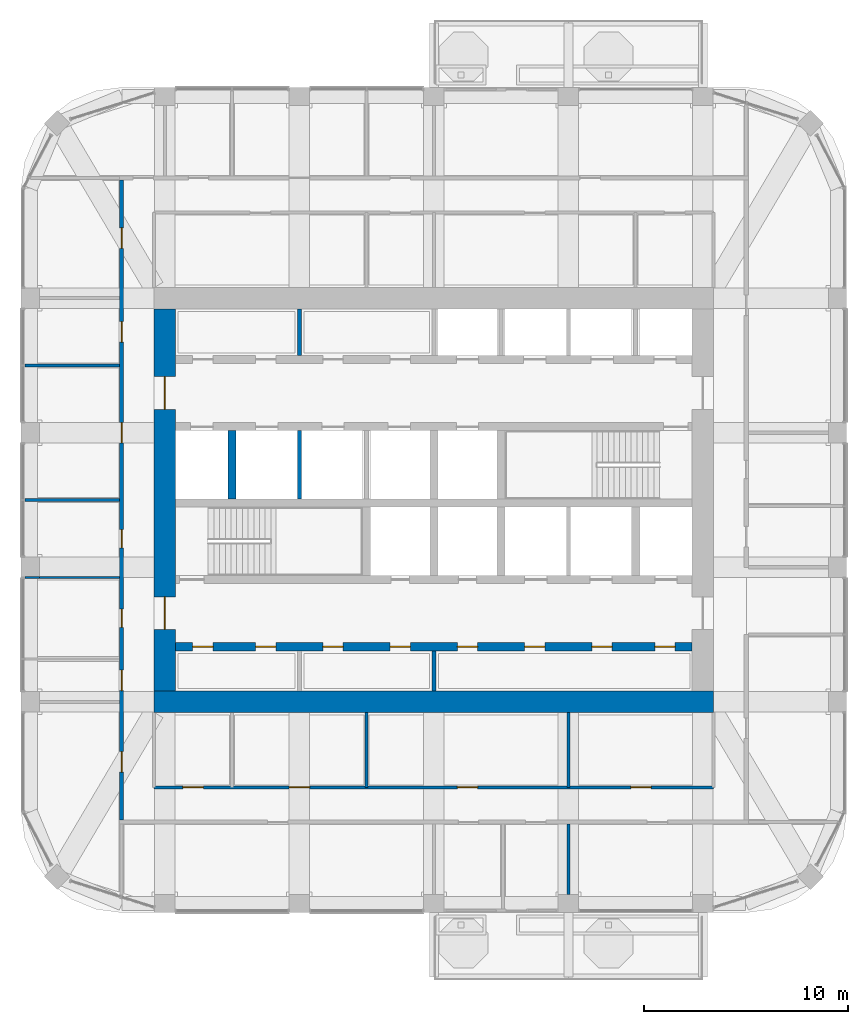
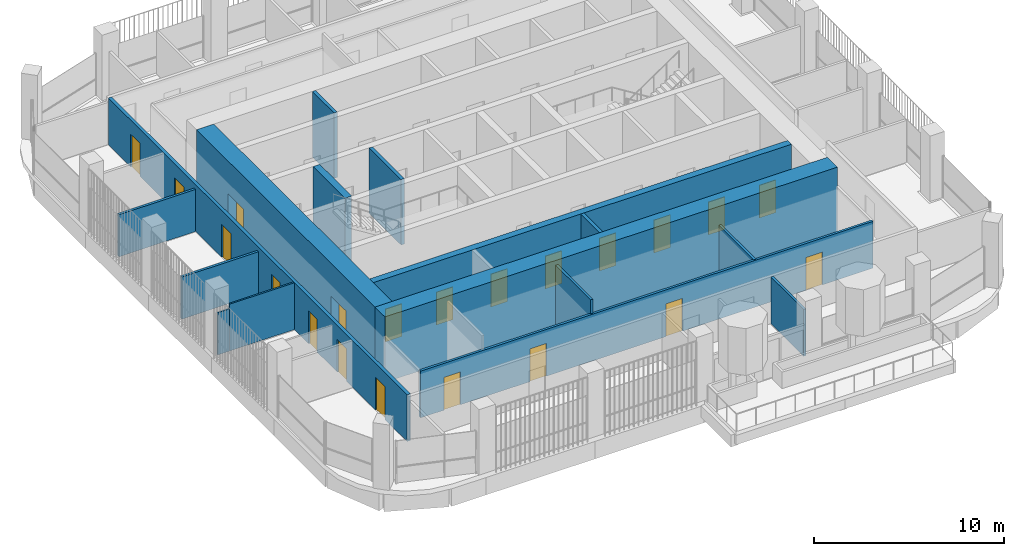
# One storey, part 14 of 21: 21 doors, 16 walls, 21 openings.
"""IFC4 building model written with IfcOpenShell, lengths in metres."""

from ifc_helpers import new_model, si_unit, direction, frame, frame_2d, origin, place, context, subcontext, project, spatial, rectangle, extrude, material, layer, layer_set, type_object, element, fill, save


model = new_model("IFC4")

# Units and contexts
model_context = context("Model", 3, precision=1e-05, world=origin(), true_north=direction((0.0, 1.0)))
body_context = subcontext(model_context, "Body", "Model", "MODEL_VIEW")
ifc_project = project(units=[si_unit("LENGTHUNIT", "METRE"), si_unit("AREAUNIT", "SQUARE_METRE"), si_unit("VOLUMEUNIT", "CUBIC_METRE"), si_unit("PLANEANGLEUNIT", "RADIAN"), si_unit("MASSUNIT", "GRAM", prefix="KILO")], contexts=[model_context])

# Site, building, storey
site_placement = place(None, origin())
site = spatial("IfcSite", under=ifc_project, at=site_placement, CompositionType="ELEMENT")
building_placement = place(site_placement, origin())
building = spatial("IfcBuilding", under=site, at=building_placement, Name="Cobogo Forest Laboratory Tower", CompositionType="ELEMENT")
storey_placement = place(building_placement, frame((0.0, 0.0, 267.0)))
storey = spatial("IfcBuildingStorey", under=building, at=storey_placement, Name="L61", CompositionType="ELEMENT", Elevation=267.0)

# Wall, openings, doors
ifc_material_1 = material(Name="Concrete HA-50 (C50/60)", Category="concrete")
ifc_layer_1 = layer(ifc_material_1, 0.39990234375)
ifc_layer_set_1 = layer_set([ifc_layer_1], Name="CI400 core inner wall 400")
wall_type_1 = type_object("IfcWallType", Name="CI400 core inner wall 400", PredefinedType="SHEAR", material=ifc_layer_set_1)
wall_1_placement = place(storey_placement, frame((13.72509765625, 15.89990234375, 0.0), z_axis=(0.0, 0.0, 1.0), x_axis=(1.0, 0.0, 0.0)))
wall_1 = element("IfcWall", 1, at=wall_1_placement, inside=storey, type_object=wall_type_1, Name="Core wall CI-15.9 L61", PredefinedType="SHEAR", context=body_context, shape_type="SweptSolid", body=[
    extrude(rectangle(XDim=25.349853515625, YDim=0.39990234375, at=frame_2d((12.6748046875, 0.0))), origin(), (0.0, 0.0, 1.0), 4.199951171875),
])
opening_1_placement = place(wall_1_placement, frame((0.83740234375, 0.0, 0.0)))
opening_1 = element("IfcOpeningElement", 2, at=opening_1_placement, cuts=wall_1, Name="Opening L61-D13", PredefinedType="OPENING", context=body_context, shape_type="SweptSolid", body=[
    extrude(rectangle(XDim=1.0, YDim=2.10009765625, at=frame_2d((0.5, 1.050048828125))), frame((0.0, 0.2099609375, 0.0), z_axis=(0.0, -1.0, 0.0), x_axis=(1.0, 0.0, 0.0)), (0.0, 0.0, 1.0), 0.419921875),
])
opening_2_placement = place(wall_1_placement, frame((3.925048828125, 0.0, 0.0)))
opening_2 = element("IfcOpeningElement", 3, at=opening_2_placement, cuts=wall_1, Name="Opening L61-D14", PredefinedType="OPENING", context=body_context, shape_type="SweptSolid", body=[
    extrude(rectangle(XDim=1.0, YDim=2.10009765625, at=frame_2d((0.5, 1.050048828125))), frame((0.0, 0.2099609375, 0.0), z_axis=(0.0, -1.0, 0.0), x_axis=(1.0, 0.0, 0.0)), (0.0, 0.0, 1.0), 0.419921875),
])
opening_3_placement = place(wall_1_placement, frame((7.22509765625, 0.0, 0.0)))
opening_3 = element("IfcOpeningElement", 4, at=opening_3_placement, cuts=wall_1, Name="Opening L61-D15", PredefinedType="OPENING", context=body_context, shape_type="SweptSolid", body=[
    extrude(rectangle(XDim=1.0, YDim=2.10009765625, at=frame_2d((0.5, 1.050048828125))), frame((0.0, 0.2099609375, 0.0), z_axis=(0.0, -1.0, 0.0), x_axis=(1.0, 0.0, 0.0)), (0.0, 0.0, 1.0), 0.419921875),
])
opening_4_placement = place(wall_1_placement, frame((10.52490234375, 0.0, 0.0)))
opening_4 = element("IfcOpeningElement", 5, at=opening_4_placement, cuts=wall_1, Name="Opening L61-D16", PredefinedType="OPENING", context=body_context, shape_type="SweptSolid", body=[
    extrude(rectangle(XDim=1.0, YDim=2.10009765625, at=frame_2d((0.5, 1.050048828125))), frame((0.0, 0.2099609375, 0.0), z_axis=(0.0, -1.0, 0.0), x_axis=(1.0, 0.0, 0.0)), (0.0, 0.0, 1.0), 0.419921875),
])
opening_5_placement = place(wall_1_placement, frame((13.824951171875, 0.0, 0.0)))
opening_5 = element("IfcOpeningElement", 6, at=opening_5_placement, cuts=wall_1, Name="Opening L61-D17", PredefinedType="OPENING", context=body_context, shape_type="SweptSolid", body=[
    extrude(rectangle(XDim=1.0, YDim=2.10009765625, at=frame_2d((0.5, 1.050048828125))), frame((0.0, 0.2099609375, 0.0), z_axis=(0.0, -1.0, 0.0), x_axis=(1.0, 0.0, 0.0)), (0.0, 0.0, 1.0), 0.419921875),
])
opening_6_placement = place(wall_1_placement, frame((17.125, 0.0, 0.0)))
opening_6 = element("IfcOpeningElement", 7, at=opening_6_placement, cuts=wall_1, Name="Opening L61-D18", PredefinedType="OPENING", context=body_context, shape_type="SweptSolid", body=[
    extrude(rectangle(XDim=1.0, YDim=2.10009765625, at=frame_2d((0.5, 1.050048828125))), frame((0.0, 0.2099609375, 0.0), z_axis=(0.0, -1.0, 0.0), x_axis=(1.0, 0.0, 0.0)), (0.0, 0.0, 1.0), 0.419921875),
])
opening_7_placement = place(wall_1_placement, frame((20.425048828125, 0.0, 0.0)))
opening_7 = element("IfcOpeningElement", 8, at=opening_7_placement, cuts=wall_1, Name="Opening L61-D19", PredefinedType="OPENING", context=body_context, shape_type="SweptSolid", body=[
    extrude(rectangle(XDim=1.0, YDim=2.10009765625, at=frame_2d((0.5, 1.050048828125))), frame((0.0, 0.2099609375, 0.0), z_axis=(0.0, -1.0, 0.0), x_axis=(1.0, 0.0, 0.0)), (0.0, 0.0, 1.0), 0.419921875),
])
opening_8_placement = place(wall_1_placement, frame((23.512451171875, 0.0, 0.0)))
opening_8 = element("IfcOpeningElement", 9, at=opening_8_placement, cuts=wall_1, Name="Opening L61-D20", PredefinedType="OPENING", context=body_context, shape_type="SweptSolid", body=[
    extrude(rectangle(XDim=1.0, YDim=2.10009765625, at=frame_2d((0.5, 1.050048828125))), frame((0.0, 0.2099609375, 0.0), z_axis=(0.0, -1.0, 0.0), x_axis=(1.0, 0.0, 0.0)), (0.0, 0.0, 1.0), 0.419921875),
])
ifc_material_2 = material(Name="Steel fire door", Category="steel")
door_type_1 = type_object("IfcDoorType", Name="FD1 fire door 1000 EI2 60", OperationType="SINGLE_SWING_LEFT", PredefinedType="DOOR", material=ifc_material_2)
door_1_placement = place(opening_1_placement, origin())
door_1 = element("IfcDoor", 10, at=door_1_placement, inside=storey, type_object=door_type_1, Name="Door L61-SH-LA1", OperationType="SINGLE_SWING_LEFT", OverallHeight=2.10009765625, OverallWidth=1.0, PredefinedType="DOOR", context=body_context, shape_type="SweptSolid", body=[
    extrude(rectangle(XDim=1.0, YDim=2.10009765625, at=frame_2d((0.5, 1.050048828125))), frame((0.0, 0.02490234375, 0.0), z_axis=(0.0, -1.0, 0.0), x_axis=(1.0, 0.0, 0.0)), (0.0, 0.0, 1.0), 0.050048828125),
])
fill(opening_1, door_1)
door_2_placement = place(opening_2_placement, origin())
door_2 = element("IfcDoor", 11, at=door_2_placement, inside=storey, type_object=door_type_1, Name="Door L61-SH-LA2", OperationType="SINGLE_SWING_LEFT", OverallHeight=2.10009765625, OverallWidth=1.0, PredefinedType="DOOR", context=body_context, shape_type="SweptSolid", body=[
    extrude(rectangle(XDim=1.0, YDim=2.10009765625, at=frame_2d((0.5, 1.050048828125))), frame((0.0, 0.02490234375, 0.0), z_axis=(0.0, -1.0, 0.0), x_axis=(1.0, 0.0, 0.0)), (0.0, 0.0, 1.0), 0.050048828125),
])
fill(opening_2, door_2)
door_3_placement = place(opening_3_placement, origin())
door_3 = element("IfcDoor", 12, at=door_3_placement, inside=storey, type_object=door_type_1, Name="Door L61-SH-LA3", OperationType="SINGLE_SWING_LEFT", OverallHeight=2.10009765625, OverallWidth=1.0, PredefinedType="DOOR", context=body_context, shape_type="SweptSolid", body=[
    extrude(rectangle(XDim=1.0, YDim=2.10009765625, at=frame_2d((0.5, 1.050048828125))), frame((0.0, 0.02490234375, 0.0), z_axis=(0.0, -1.0, 0.0), x_axis=(1.0, 0.0, 0.0)), (0.0, 0.0, 1.0), 0.050048828125),
])
fill(opening_3, door_3)
door_4_placement = place(opening_4_placement, origin())
door_4 = element("IfcDoor", 13, at=door_4_placement, inside=storey, type_object=door_type_1, Name="Door L61-SH-LA4", OperationType="SINGLE_SWING_LEFT", OverallHeight=2.10009765625, OverallWidth=1.0, PredefinedType="DOOR", context=body_context, shape_type="SweptSolid", body=[
    extrude(rectangle(XDim=1.0, YDim=2.10009765625, at=frame_2d((0.5, 1.050048828125))), frame((0.0, 0.02490234375, 0.0), z_axis=(0.0, -1.0, 0.0), x_axis=(1.0, 0.0, 0.0)), (0.0, 0.0, 1.0), 0.050048828125),
])
fill(opening_4, door_4)
door_5_placement = place(opening_5_placement, origin())
door_5 = element("IfcDoor", 14, at=door_5_placement, inside=storey, type_object=door_type_1, Name="Door L61-SH-LB1", OperationType="SINGLE_SWING_RIGHT", OverallHeight=2.10009765625, OverallWidth=1.0, PredefinedType="DOOR", context=body_context, shape_type="SweptSolid", body=[
    extrude(rectangle(XDim=1.0, YDim=2.10009765625, at=frame_2d((0.5, 1.050048828125))), frame((0.0, 0.02490234375, 0.0), z_axis=(0.0, -1.0, 0.0), x_axis=(1.0, 0.0, 0.0)), (0.0, 0.0, 1.0), 0.050048828125),
])
fill(opening_5, door_5)
door_6_placement = place(opening_6_placement, origin())
door_6 = element("IfcDoor", 15, at=door_6_placement, inside=storey, type_object=door_type_1, Name="Door L61-SH-LB2", OperationType="SINGLE_SWING_RIGHT", OverallHeight=2.10009765625, OverallWidth=1.0, PredefinedType="DOOR", context=body_context, shape_type="SweptSolid", body=[
    extrude(rectangle(XDim=1.0, YDim=2.10009765625, at=frame_2d((0.5, 1.050048828125))), frame((0.0, 0.02490234375, 0.0), z_axis=(0.0, -1.0, 0.0), x_axis=(1.0, 0.0, 0.0)), (0.0, 0.0, 1.0), 0.050048828125),
])
fill(opening_6, door_6)
door_7_placement = place(opening_7_placement, origin())
door_7 = element("IfcDoor", 16, at=door_7_placement, inside=storey, type_object=door_type_1, Name="Door L61-SH-LB3", OperationType="SINGLE_SWING_RIGHT", OverallHeight=2.10009765625, OverallWidth=1.0, PredefinedType="DOOR", context=body_context, shape_type="SweptSolid", body=[
    extrude(rectangle(XDim=1.0, YDim=2.10009765625, at=frame_2d((0.5, 1.050048828125))), frame((0.0, 0.02490234375, 0.0), z_axis=(0.0, -1.0, 0.0), x_axis=(1.0, 0.0, 0.0)), (0.0, 0.0, 1.0), 0.050048828125),
])
fill(opening_7, door_7)
door_8_placement = place(opening_8_placement, origin())
door_8 = element("IfcDoor", 17, at=door_8_placement, inside=storey, type_object=door_type_1, Name="Door L61-SH-LB4", OperationType="SINGLE_SWING_RIGHT", OverallHeight=2.10009765625, OverallWidth=1.0, PredefinedType="DOOR", context=body_context, shape_type="SweptSolid", body=[
    extrude(rectangle(XDim=1.0, YDim=2.10009765625, at=frame_2d((0.5, 1.050048828125))), frame((0.0, 0.02490234375, 0.0), z_axis=(0.0, -1.0, 0.0), x_axis=(1.0, 0.0, 0.0)), (0.0, 0.0, 1.0), 0.050048828125),
])
fill(opening_8, door_8)

# Walls
wall_2_placement = place(storey_placement, frame((16.5, 23.14990234375, 0.0), z_axis=(0.0, 0.0, 1.0), x_axis=(0.0, 1.0, 0.0)))
element("IfcWall", 18, at=wall_2_placement, inside=storey, type_object=wall_type_1, Name="Core wall CX-16.5 L61", PredefinedType="SHEAR", context=body_context, shape_type="SweptSolid", body=[
    extrude(rectangle(XDim=3.35009765625, YDim=0.39990234375, at=frame_2d((1.675048828125, 0.0))), origin(), (0.0, 0.0, 1.0), 4.199951171875),
])
ifc_layer_2 = layer(ifc_material_1, 1.050048828125)
ifc_layer_set_2 = layer_set([ifc_layer_2], Name="CW1050 core outer wall 1050")
wall_type_2 = type_object("IfcWallType", Name="CW1050 core outer wall 1050", PredefinedType="SHEAR", material=ifc_layer_set_2)
wall_3_placement = place(storey_placement, frame((12.675048828125, 13.199951171875, 0.0), z_axis=(0.0, 0.0, 1.0), x_axis=(1.0, 0.0, 0.0)))
element("IfcWall", 19, at=wall_3_placement, inside=storey, type_object=wall_type_2, Name="Core wall CO-S L61", PredefinedType="SHEAR", context=body_context, shape_type="SweptSolid", body=[
    extrude(rectangle(XDim=27.449951171875, YDim=1.050048828125, at=frame_2d((13.72509765625, 0.0))), origin(), (0.0, 0.0, 1.0), 4.199951171875),
])

# Wall, openings, doors
wall_4_placement = place(storey_placement, frame((13.199951171875, 32.47509765625, 0.0), z_axis=(0.0, 0.0, 1.0), x_axis=(0.0, -1.0, 0.0)))
wall_4 = element("IfcWall", 20, at=wall_4_placement, inside=storey, type_object=wall_type_2, Name="Core wall CO-W L61", PredefinedType="SHEAR", context=body_context, shape_type="SweptSolid", body=[
    extrude(rectangle(XDim=18.75, YDim=1.050048828125, at=frame_2d((9.375, 0.0))), origin(), (0.0, 0.0, 1.0), 4.199951171875),
])
opening_9_placement = place(wall_4_placement, frame((14.125, 0.0, 0.0)))
opening_9 = element("IfcOpeningElement", 21, at=opening_9_placement, cuts=wall_4, Name="Opening L61-D22", PredefinedType="OPENING", context=body_context, shape_type="SweptSolid", body=[
    extrude(rectangle(XDim=1.60009765625, YDim=2.10009765625, at=frame_2d((0.800048828125, 1.050048828125))), frame((0.0, 0.534912109375, 0.0), z_axis=(0.0, -1.0, 0.0), x_axis=(1.0, 0.0, 0.0)), (0.0, 0.0, 1.0), 1.070068359375),
])
opening_10_placement = place(wall_4_placement, frame((3.324951171875, 0.0, 0.0)))
opening_10 = element("IfcOpeningElement", 22, at=opening_10_placement, cuts=wall_4, Name="Opening L61-D32", PredefinedType="OPENING", context=body_context, shape_type="SweptSolid", body=[
    extrude(rectangle(XDim=1.60009765625, YDim=2.10009765625, at=frame_2d((0.800048828125, 1.050048828125))), frame((0.0, 0.534912109375, 0.0), z_axis=(0.0, -1.0, 0.0), x_axis=(1.0, 0.0, 0.0)), (0.0, 0.0, 1.0), 1.070068359375),
])
door_type_2 = type_object("IfcDoorType", Name="DS2 protected lobby door pair 1600 EI2 60", OperationType="DOUBLE_DOOR_DOUBLE_SWING", PredefinedType="DOOR", material=ifc_material_2)
door_9_placement = place(opening_9_placement, origin())
door_9 = element("IfcDoor", 23, at=door_9_placement, inside=storey, type_object=door_type_2, Name="Door L61-CO-W-S", OperationType="DOUBLE_DOOR_DOUBLE_SWING", OverallHeight=2.10009765625, OverallWidth=1.60009765625, PredefinedType="DOOR", context=body_context, shape_type="SweptSolid", body=[
    extrude(rectangle(XDim=1.60009765625, YDim=2.10009765625, at=frame_2d((0.800048828125, 1.050048828125))), frame((0.0, 0.02490234375, 0.0), z_axis=(0.0, -1.0, 0.0), x_axis=(1.0, 0.0, 0.0)), (0.0, 0.0, 1.0), 0.050048828125),
])
fill(opening_9, door_9)
door_10_placement = place(opening_10_placement, origin())
door_10 = element("IfcDoor", 24, at=door_10_placement, inside=storey, type_object=door_type_2, Name="Door L61-CO-W-N", OperationType="DOUBLE_DOOR_DOUBLE_SWING", OverallHeight=2.10009765625, OverallWidth=1.60009765625, PredefinedType="DOOR", context=body_context, shape_type="SweptSolid", body=[
    extrude(rectangle(XDim=1.60009765625, YDim=2.10009765625, at=frame_2d((0.800048828125, 1.050048828125))), frame((0.0, 0.02490234375, 0.0), z_axis=(0.0, -1.0, 0.0), x_axis=(1.0, 0.0, 0.0)), (0.0, 0.0, 1.0), 0.050048828125),
])
fill(opening_10, door_10)

ifc_material_3 = material(Name="Gypsum board on steel studs", Category="steel")
ifc_layer_3 = layer(ifc_material_3, 0.14990234375)
ifc_layer_set_3 = layer_set([ifc_layer_3], Name="PT1 laboratory partition 150")
wall_type_3 = type_object("IfcWallType", Name="PT1 laboratory partition 150", PredefinedType="PARTITIONING", material=ifc_layer_set_3)
wall_5_placement = place(storey_placement, frame((12.675048828125, 9.0, 0.0), z_axis=(0.0, 0.0, 1.0), x_axis=(1.0, 0.0, 0.0)))
wall_5 = element("IfcWall", 25, at=wall_5_placement, inside=storey, type_object=wall_type_3, Name="Partition CSTRIP-S L61", PredefinedType="PARTITIONING", context=body_context, shape_type="SweptSolid", body=[
    extrude(rectangle(XDim=27.449951171875, YDim=0.14990234375, at=frame_2d((13.72509765625, 0.0))), origin(), (0.0, 0.0, 1.0), 3.0),
])
opening_11_placement = place(wall_5_placement, frame((1.41259765625, 0.0, 0.0)))
opening_11 = element("IfcOpeningElement", 26, at=opening_11_placement, cuts=wall_5, Name="Opening L61-D06", PredefinedType="OPENING", context=body_context, shape_type="SweptSolid", body=[
    extrude(rectangle(XDim=1.0, YDim=2.10009765625, at=frame_2d((0.5, 1.050048828125))), frame((0.0, 0.0849609375, 0.0), z_axis=(0.0, -1.0, 0.0), x_axis=(1.0, 0.0, 0.0)), (0.0, 0.0, 1.0), 0.169921875),
])
opening_12_placement = place(wall_5_placement, frame((6.625, 0.0, 0.0)))
opening_12 = element("IfcOpeningElement", 27, at=opening_12_placement, cuts=wall_5, Name="Opening L61-D07", PredefinedType="OPENING", context=body_context, shape_type="SweptSolid", body=[
    extrude(rectangle(XDim=1.0, YDim=2.10009765625, at=frame_2d((0.5, 1.050048828125))), frame((0.0, 0.0849609375, 0.0), z_axis=(0.0, -1.0, 0.0), x_axis=(1.0, 0.0, 0.0)), (0.0, 0.0, 1.0), 0.169921875),
])
opening_13_placement = place(wall_5_placement, frame((14.875, 0.0, 0.0)))
opening_13 = element("IfcOpeningElement", 28, at=opening_13_placement, cuts=wall_5, Name="Opening L61-D08", PredefinedType="OPENING", context=body_context, shape_type="SweptSolid", body=[
    extrude(rectangle(XDim=1.0, YDim=2.10009765625, at=frame_2d((0.5, 1.050048828125))), frame((0.0, 0.0849609375, 0.0), z_axis=(0.0, -1.0, 0.0), x_axis=(1.0, 0.0, 0.0)), (0.0, 0.0, 1.0), 0.169921875),
])
opening_14_placement = place(wall_5_placement, frame((23.387451171875, 0.0, 0.0)))
opening_14 = element("IfcOpeningElement", 29, at=opening_14_placement, cuts=wall_5, Name="Opening L61-D09", PredefinedType="OPENING", context=body_context, shape_type="SweptSolid", body=[
    extrude(rectangle(XDim=1.0, YDim=2.10009765625, at=frame_2d((0.5, 1.050048828125))), frame((0.0, 0.0849609375, 0.0), z_axis=(0.0, -1.0, 0.0), x_axis=(1.0, 0.0, 0.0)), (0.0, 0.0, 1.0), 0.169921875),
])
ifc_material_4 = material(Name="Timber fire door", Category="wood")
door_type_3 = type_object("IfcDoorType", Name="FD2 fire door 1000 EI2 30", OperationType="SINGLE_SWING_LEFT", PredefinedType="DOOR", material=ifc_material_4)
door_11_placement = place(opening_11_placement, origin())
door_11 = element("IfcDoor", 30, at=door_11_placement, inside=storey, type_object=door_type_3, Name="Door L61-CSS1", OperationType="SINGLE_SWING_LEFT", OverallHeight=2.10009765625, OverallWidth=1.0, PredefinedType="DOOR", context=body_context, shape_type="SweptSolid", body=[
    extrude(rectangle(XDim=1.0, YDim=2.10009765625, at=frame_2d((0.5, 1.050048828125))), frame((0.0, 0.02490234375, 0.0), z_axis=(0.0, -1.0, 0.0), x_axis=(1.0, 0.0, 0.0)), (0.0, 0.0, 1.0), 0.050048828125),
])
fill(opening_11, door_11)
door_12_placement = place(opening_12_placement, origin())
door_12 = element("IfcDoor", 31, at=door_12_placement, inside=storey, type_object=door_type_3, Name="Door L61-CSS2", OperationType="SINGLE_SWING_LEFT", OverallHeight=2.10009765625, OverallWidth=1.0, PredefinedType="DOOR", context=body_context, shape_type="SweptSolid", body=[
    extrude(rectangle(XDim=1.0, YDim=2.10009765625, at=frame_2d((0.5, 1.050048828125))), frame((0.0, 0.02490234375, 0.0), z_axis=(0.0, -1.0, 0.0), x_axis=(1.0, 0.0, 0.0)), (0.0, 0.0, 1.0), 0.050048828125),
])
fill(opening_12, door_12)
door_13_placement = place(opening_13_placement, origin())
door_13 = element("IfcDoor", 32, at=door_13_placement, inside=storey, type_object=door_type_3, Name="Door L61-CSS3", OperationType="SINGLE_SWING_RIGHT", OverallHeight=2.10009765625, OverallWidth=1.0, PredefinedType="DOOR", context=body_context, shape_type="SweptSolid", body=[
    extrude(rectangle(XDim=1.0, YDim=2.10009765625, at=frame_2d((0.5, 1.050048828125))), frame((0.0, 0.02490234375, 0.0), z_axis=(0.0, -1.0, 0.0), x_axis=(1.0, 0.0, 0.0)), (0.0, 0.0, 1.0), 0.050048828125),
])
fill(opening_13, door_13)
door_14_placement = place(opening_14_placement, origin())
door_14 = element("IfcDoor", 33, at=door_14_placement, inside=storey, type_object=door_type_3, Name="Door L61-CSS4", OperationType="SINGLE_SWING_RIGHT", OverallHeight=2.10009765625, OverallWidth=1.0, PredefinedType="DOOR", context=body_context, shape_type="SweptSolid", body=[
    extrude(rectangle(XDim=1.0, YDim=2.10009765625, at=frame_2d((0.5, 1.050048828125))), frame((0.0, 0.02490234375, 0.0), z_axis=(0.0, -1.0, 0.0), x_axis=(1.0, 0.0, 0.0)), (0.0, 0.0, 1.0), 0.050048828125),
])
fill(opening_14, door_14)

# Walls
wall_6_placement = place(storey_placement, frame((23.10009765625, 12.675048828125, 0.0), z_axis=(0.0, 0.0, 1.0), x_axis=(0.0, -1.0, 0.0)))
element("IfcWall", 34, at=wall_6_placement, inside=storey, type_object=wall_type_3, Name="Partition CSTRIP-S23.1 L61", PredefinedType="PARTITIONING", context=body_context, shape_type="SweptSolid", body=[
    extrude(rectangle(XDim=3.675048828125, YDim=0.14990234375, at=frame_2d((1.83740234375, 0.0))), origin(), (0.0, 0.0, 1.0), 3.89990234375),
])
wall_7_placement = place(storey_placement, frame((33.0, 12.675048828125, 0.0), z_axis=(0.0, 0.0, 1.0), x_axis=(0.0, -1.0, 0.0)))
element("IfcWall", 35, at=wall_7_placement, inside=storey, type_object=wall_type_3, Name="Partition CSTRIP-S33 L61", PredefinedType="PARTITIONING", context=body_context, shape_type="SweptSolid", body=[
    extrude(rectangle(XDim=3.675048828125, YDim=0.14990234375, at=frame_2d((1.83740234375, 0.0))), origin(), (0.0, 0.0, 1.0), 3.0),
])
wall_8_placement = place(storey_placement, frame((33.0, 3.75, 0.0), z_axis=(0.0, 0.0, 1.0), x_axis=(0.0, 1.0, 0.0)))
element("IfcWall", 36, at=wall_8_placement, inside=storey, type_object=wall_type_3, Name="Partition SVC-S2-1 L61", PredefinedType="PARTITIONING", context=body_context, shape_type="SweptSolid", body=[
    extrude(rectangle(XDim=3.449951171875, YDim=0.14990234375, at=frame_2d((1.72509765625, 0.0))), origin(), (0.0, 0.0, 1.0), 3.0),
])
for number, where, z_axis, x_axis, name in (
    (37, (6.330078125, 23.10009765625, 0.0), (0.0, 0.0, 1.0), (1.0, 0.0, 0.0), "Partition SVC-W3-1 L61"),
    (38, (6.330078125, 29.699951171875, 0.0), (0.0, 0.0, 1.0), (1.0, 0.0, 0.0), "Partition CUT-W29.7-1 L61"),
):
    element("IfcWall", number, at=place(storey_placement, frame(where, z_axis=z_axis, x_axis=x_axis)), inside=storey, type_object=wall_type_3, Name=name, PredefinedType="PARTITIONING", context=body_context, shape_type="SweptSolid", body=[
        extrude(rectangle(XDim=4.64501953125, YDim=0.14990234375, at=frame_2d((2.322509765625, 0.0))), origin(), (0.0, 0.0, 1.0), 2.699951171875),
    ])

# Wall, openings, doors
ifc_layer_4 = layer(ifc_material_3, 0.199951171875)
ifc_layer_set_4 = layer_set([ifc_layer_4], Name="PT2 fire-rated corridor partition 200")
wall_type_4 = type_object("IfcWallType", Name="PT2 fire-rated corridor partition 200", PredefinedType="PARTITIONING", material=ifc_layer_set_4)
wall_9_placement = place(storey_placement, frame((11.074951171875, 7.39990234375, 0.0), z_axis=(0.0, 0.0, 1.0), x_axis=(0.0, 1.0, 0.0)))
wall_9 = element("IfcWall", 39, at=wall_9_placement, inside=storey, type_object=wall_type_4, Name="Partition CORR-W L61", PredefinedType="PARTITIONING", context=body_context, shape_type="SweptSolid", body=[
    extrude(rectangle(XDim=31.400146484375, YDim=0.199951171875, at=frame_2d((15.7001953125, 0.0))), origin(), (0.0, 0.0, 1.0), 3.0),
])
opening_15_placement = place(wall_9_placement, frame((2.35009765625, 0.0, 0.0)))
opening_15 = element("IfcOpeningElement", 40, at=opening_15_placement, cuts=wall_9, Name="Opening L61-D10", PredefinedType="OPENING", context=body_context, shape_type="SweptSolid", body=[
    extrude(rectangle(XDim=1.0, YDim=2.10009765625, at=frame_2d((0.5, 1.050048828125))), frame((0.0, 0.10986328125, 0.0), z_axis=(0.0, -1.0, 0.0), x_axis=(1.0, 0.0, 0.0)), (0.0, 0.0, 1.0), 0.219970703125),
])
opening_16_placement = place(wall_9_placement, frame((6.35009765625, 0.0, 0.0)))
opening_16 = element("IfcOpeningElement", 41, at=opening_16_placement, cuts=wall_9, Name="Opening L61-D12", PredefinedType="OPENING", context=body_context, shape_type="SweptSolid", body=[
    extrude(rectangle(XDim=1.0, YDim=2.10009765625, at=frame_2d((0.5, 1.050048828125))), frame((0.0, 0.10986328125, 0.0), z_axis=(0.0, -1.0, 0.0), x_axis=(1.0, 0.0, 0.0)), (0.0, 0.0, 1.0), 0.219970703125),
])
opening_17_placement = place(wall_9_placement, frame((9.449951171875, 0.0, 0.0)))
opening_17 = element("IfcOpeningElement", 42, at=opening_17_placement, cuts=wall_9, Name="Opening L61-D21", PredefinedType="OPENING", context=body_context, shape_type="SweptSolid", body=[
    extrude(rectangle(XDim=0.89990234375, YDim=2.10009765625, at=frame_2d((0.449951171875, 1.050048828125))), frame((0.0, 0.10986328125, 0.0), z_axis=(0.0, -1.0, 0.0), x_axis=(1.0, 0.0, 0.0)), (0.0, 0.0, 1.0), 0.219970703125),
])
opening_18_placement = place(wall_9_placement, frame((13.35009765625, 0.0, 0.0)))
opening_18 = element("IfcOpeningElement", 43, at=opening_18_placement, cuts=wall_9, Name="Opening L61-D27", PredefinedType="OPENING", context=body_context, shape_type="SweptSolid", body=[
    extrude(rectangle(XDim=0.89990234375, YDim=2.10009765625, at=frame_2d((0.449951171875, 1.050048828125))), frame((0.0, 0.10986328125, 0.0), z_axis=(0.0, -1.0, 0.0), x_axis=(1.0, 0.0, 0.0)), (0.0, 0.0, 1.0), 0.219970703125),
])
opening_19_placement = place(wall_9_placement, frame((18.5, 0.0, 0.0)))
opening_19 = element("IfcOpeningElement", 44, at=opening_19_placement, cuts=wall_9, Name="Opening L61-D30", PredefinedType="OPENING", context=body_context, shape_type="SweptSolid", body=[
    extrude(rectangle(XDim=1.0, YDim=2.10009765625, at=frame_2d((0.5, 1.050048828125))), frame((0.0, 0.10986328125, 0.0), z_axis=(0.0, -1.0, 0.0), x_axis=(1.0, 0.0, 0.0)), (0.0, 0.0, 1.0), 0.219970703125),
])
opening_20_placement = place(wall_9_placement, frame((23.449951171875, 0.0, 0.0)))
opening_20 = element("IfcOpeningElement", 45, at=opening_20_placement, cuts=wall_9, Name="Opening L61-D38", PredefinedType="OPENING", context=body_context, shape_type="SweptSolid", body=[
    extrude(rectangle(XDim=1.0, YDim=2.10009765625, at=frame_2d((0.5, 1.050048828125))), frame((0.0, 0.10986328125, 0.0), z_axis=(0.0, -1.0, 0.0), x_axis=(1.0, 0.0, 0.0)), (0.0, 0.0, 1.0), 0.219970703125),
])
opening_21_placement = place(wall_9_placement, frame((28.050048828125, 0.0, 0.0)))
opening_21 = element("IfcOpeningElement", 46, at=opening_21_placement, cuts=wall_9, Name="Opening L61-D40", PredefinedType="OPENING", context=body_context, shape_type="SweptSolid", body=[
    extrude(rectangle(XDim=1.0, YDim=2.10009765625, at=frame_2d((0.5, 1.050048828125))), frame((0.0, 0.10986328125, 0.0), z_axis=(0.0, -1.0, 0.0), x_axis=(1.0, 0.0, 0.0)), (0.0, 0.0, 1.0), 0.219970703125),
])
door_15_placement = place(opening_15_placement, origin())
door_15 = element("IfcDoor", 47, at=door_15_placement, inside=storey, type_object=door_type_3, Name="Door L61-W1", OperationType="SINGLE_SWING_LEFT", OverallHeight=2.10009765625, OverallWidth=1.0, PredefinedType="DOOR", context=body_context, shape_type="SweptSolid", body=[
    extrude(rectangle(XDim=1.0, YDim=2.10009765625, at=frame_2d((0.5, 1.050048828125))), frame((0.0, 0.02490234375, 0.0), z_axis=(0.0, -1.0, 0.0), x_axis=(1.0, 0.0, 0.0)), (0.0, 0.0, 1.0), 0.050048828125),
])
fill(opening_15, door_15)
door_16_placement = place(opening_19_placement, origin())
door_16 = element("IfcDoor", 48, at=door_16_placement, inside=storey, type_object=door_type_3, Name="Door L61-W2", OperationType="SINGLE_SWING_RIGHT", OverallHeight=2.10009765625, OverallWidth=1.0, PredefinedType="DOOR", context=body_context, shape_type="SweptSolid", body=[
    extrude(rectangle(XDim=1.0, YDim=2.10009765625, at=frame_2d((0.5, 1.050048828125))), frame((0.0, 0.02490234375, 0.0), z_axis=(0.0, -1.0, 0.0), x_axis=(1.0, 0.0, 0.0)), (0.0, 0.0, 1.0), 0.050048828125),
])
fill(opening_19, door_16)
door_17_placement = place(opening_20_placement, origin())
door_17 = element("IfcDoor", 49, at=door_17_placement, inside=storey, type_object=door_type_3, Name="Door L61-W3", OperationType="SINGLE_SWING_RIGHT", OverallHeight=2.10009765625, OverallWidth=1.0, PredefinedType="DOOR", context=body_context, shape_type="SweptSolid", body=[
    extrude(rectangle(XDim=1.0, YDim=2.10009765625, at=frame_2d((0.5, 1.050048828125))), frame((0.0, 0.02490234375, 0.0), z_axis=(0.0, -1.0, 0.0), x_axis=(1.0, 0.0, 0.0)), (0.0, 0.0, 1.0), 0.050048828125),
])
fill(opening_20, door_17)
door_18_placement = place(opening_21_placement, origin())
door_18 = element("IfcDoor", 50, at=door_18_placement, inside=storey, type_object=door_type_3, Name="Door L61-W4", OperationType="SINGLE_SWING_RIGHT", OverallHeight=2.10009765625, OverallWidth=1.0, PredefinedType="DOOR", context=body_context, shape_type="SweptSolid", body=[
    extrude(rectangle(XDim=1.0, YDim=2.10009765625, at=frame_2d((0.5, 1.050048828125))), frame((0.0, 0.02490234375, 0.0), z_axis=(0.0, -1.0, 0.0), x_axis=(1.0, 0.0, 0.0)), (0.0, 0.0, 1.0), 0.050048828125),
])
fill(opening_21, door_18)
door_type_4 = type_object("IfcDoorType", Name="FD3 toilet fire door 900 EI2 30", OperationType="SINGLE_SWING_LEFT", PredefinedType="DOOR", material=ifc_material_4)
door_19_placement = place(opening_17_placement, origin())
door_19 = element("IfcDoor", 51, at=door_19_placement, inside=storey, type_object=door_type_4, Name="Door L61-WCF", OperationType="SINGLE_SWING_LEFT", OverallHeight=2.10009765625, OverallWidth=0.89990234375, PredefinedType="DOOR", context=body_context, shape_type="SweptSolid", body=[
    extrude(rectangle(XDim=0.89990234375, YDim=2.10009765625, at=frame_2d((0.449951171875, 1.050048828125))), frame((0.0, 0.02490234375, 0.0), z_axis=(0.0, -1.0, 0.0), x_axis=(1.0, 0.0, 0.0)), (0.0, 0.0, 1.0), 0.050048828125),
])
fill(opening_17, door_19)
door_20_placement = place(opening_18_placement, origin())
door_20 = element("IfcDoor", 52, at=door_20_placement, inside=storey, type_object=door_type_4, Name="Door L61-WCM", OperationType="SINGLE_SWING_LEFT", OverallHeight=2.10009765625, OverallWidth=0.89990234375, PredefinedType="DOOR", context=body_context, shape_type="SweptSolid", body=[
    extrude(rectangle(XDim=0.89990234375, YDim=2.10009765625, at=frame_2d((0.449951171875, 1.050048828125))), frame((0.0, 0.02490234375, 0.0), z_axis=(0.0, -1.0, 0.0), x_axis=(1.0, 0.0, 0.0)), (0.0, 0.0, 1.0), 0.050048828125),
])
fill(opening_18, door_20)
door_type_5 = type_object("IfcDoorType", Name="FDA1 accessible toilet fire door 1000 EI2 30", OperationType="SINGLE_SWING_RIGHT", PredefinedType="DOOR", material=ifc_material_4)
door_21_placement = place(opening_16_placement, origin())
door_21 = element("IfcDoor", 53, at=door_21_placement, inside=storey, type_object=door_type_5, Name="Door L61-WCA", OperationType="SINGLE_SWING_LEFT", OverallHeight=2.10009765625, OverallWidth=1.0, PredefinedType="DOOR", context=body_context, shape_type="SweptSolid", body=[
    extrude(rectangle(XDim=1.0, YDim=2.10009765625, at=frame_2d((0.5, 1.050048828125))), frame((0.0, 0.02490234375, 0.0), z_axis=(0.0, -1.0, 0.0), x_axis=(1.0, 0.0, 0.0)), (0.0, 0.0, 1.0), 0.050048828125),
])
fill(opening_16, door_21)

# Walls
ifc_layer_5 = layer(ifc_material_3, 0.10009765625)
ifc_layer_set_5 = layer_set([ifc_layer_5], Name="PT3 toilet partition 100")
wall_type_5 = type_object("IfcWallType", Name="PT3 toilet partition 100", PredefinedType="PARTITIONING", material=ifc_layer_set_5)
wall_10_placement = place(storey_placement, frame((6.330078125, 19.300048828125, 0.0), z_axis=(0.0, 0.0, 1.0), x_axis=(1.0, 0.0, 0.0)))
element("IfcWall", 54, at=wall_10_placement, inside=storey, type_object=wall_type_5, Name="Partition SVC-W2-1 L61", PredefinedType="PARTITIONING", context=body_context, shape_type="SweptSolid", body=[
    extrude(rectangle(XDim=0.719970703125, YDim=0.10009765625, at=frame_2d((0.35986328125, 0.0))), origin(), (0.0, 0.0, 1.0), 2.699951171875),
])
wall_11_placement = place(storey_placement, frame((7.050048828125, 19.300048828125, 0.0), z_axis=(0.0, 0.0, 1.0), x_axis=(1.0, 0.0, 0.0)))
element("IfcWall", 55, at=wall_11_placement, inside=storey, type_object=wall_type_5, Name="Partition SVC-W2-2 L61", PredefinedType="PARTITIONING", context=body_context, shape_type="SweptSolid", body=[
    extrude(rectangle(XDim=3.925048828125, YDim=0.10009765625, at=frame_2d((1.96240234375, 0.0))), origin(), (0.0, 0.0, 1.0), 3.0),
])
ifc_material_5 = material(Name="Concrete block", Category="concrete")
ifc_layer_6 = layer(ifc_material_5, 0.199951171875)
ifc_layer_set_6 = layer_set([ifc_layer_6], Name="SW200 lift shaft separator 200")
wall_type_6 = type_object("IfcWallType", Name="SW200 lift shaft separator 200", PredefinedType="PARTITIONING", material=ifc_layer_set_6)
wall_12_placement = place(storey_placement, frame((19.800048828125, 30.199951171875, 0.0), z_axis=(0.0, 0.0, 1.0), x_axis=(0.0, 1.0, 0.0)))
element("IfcWall", 56, at=wall_12_placement, inside=storey, type_object=wall_type_6, Name="Core wall SEP-N2 L61", PredefinedType="PARTITIONING", context=body_context, shape_type="SweptSolid", body=[
    extrude(rectangle(XDim=2.275146484375, YDim=0.199951171875, at=frame_2d((1.1376953125, 0.0))), origin(), (0.0, 0.0, 1.0), 4.199951171875),
])
wall_13_placement = place(storey_placement, frame((26.39990234375, 13.72509765625, 0.0), z_axis=(0.0, 0.0, 1.0), x_axis=(0.0, 1.0, 0.0)))
element("IfcWall", 57, at=wall_13_placement, inside=storey, type_object=wall_type_6, Name="Core wall SEP-S4 L61", PredefinedType="PARTITIONING", context=body_context, shape_type="SweptSolid", body=[
    extrude(rectangle(XDim=1.974853515625, YDim=0.199951171875, at=frame_2d((0.9873046875, 0.0))), origin(), (0.0, 0.0, 1.0), 4.199951171875),
])
wall_14_placement = place(storey_placement, frame((19.800048828125, 23.14990234375, 0.0), z_axis=(0.0, 0.0, 1.0), x_axis=(0.0, 1.0, 0.0)))
element("IfcWall", 58, at=wall_14_placement, inside=storey, type_object=wall_type_6, Name="Core wall SEP-M19.8 L61", PredefinedType="PARTITIONING", context=body_context, shape_type="SweptSolid", body=[
    extrude(rectangle(XDim=3.35009765625, YDim=0.199951171875, at=frame_2d((1.675048828125, 0.0))), origin(), (0.0, 0.0, 1.0), 4.199951171875),
])

save(model, "model.ifc")
